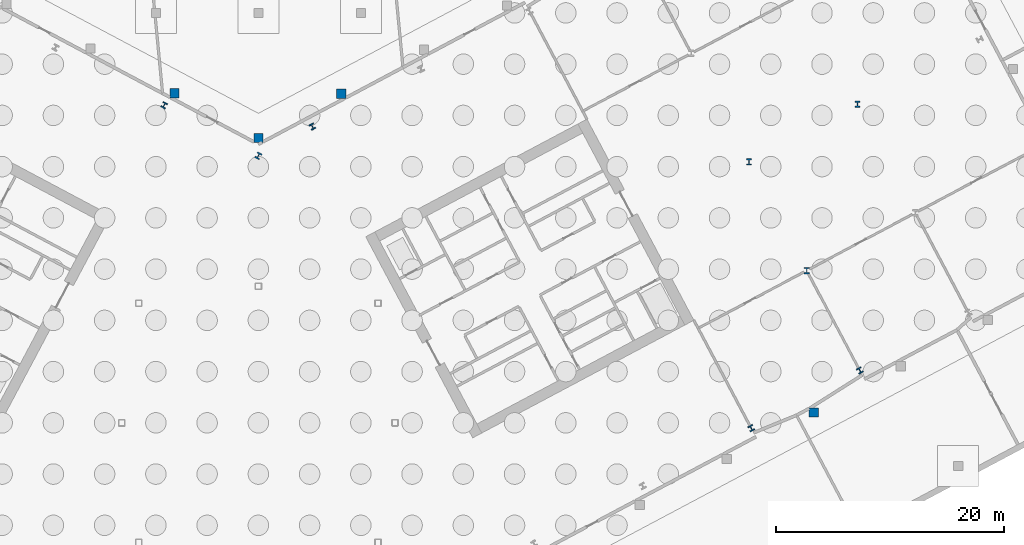
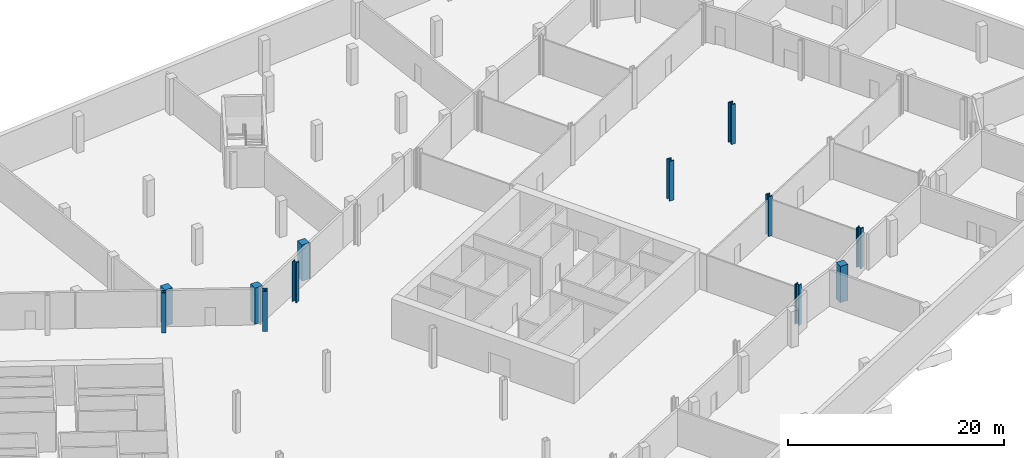
# One storey, part 5 of 29: 12 columns.
"""IFC4 building model written with IfcOpenShell, lengths in metres."""

import ifcopenshell
import ifcopenshell.guid

model = None  # the IFC model being written
_history = None  # IfcOwnerHistory: only IFC2X3 demands one
_inside = {}  # id of a spatial element -> (the spatial element, [elements in it])
_under = {}  # id of a project, library or spatial element -> (it, [spatial elements below it])
_declared = {}  # id of a project -> (the project, [libraries it declares])
_typed = {}  # id of a type object -> (the type object, [elements of that type])
_made_of = {}  # id of a material, layer set ... -> (it, [elements and type objects made of it])


def new_model(schema):
    """Start an empty IFC model of exactly this schema.

    Asked for "IFC4X3", IfcOpenShell would pick the latest addendum, in which some entities
    have other attributes; the version numbers below select the first issue.
    IFC2X3 requires an IfcOwnerHistory on every rooted entity: one is made here for all.
    """
    global model, _history
    if schema == "IFC4X3":
        model = ifcopenshell.file(schema_version=(4, 3, 0, 0))
    else:
        model = ifcopenshell.file(schema=schema)
    _inside.clear()
    _under.clear()
    _declared.clear()
    _typed.clear()
    _made_of.clear()
    _history = None
    if model.schema == "IFC2X3":
        org = make("IfcOrganization", Name="unknown")
        user = make(
            "IfcPersonAndOrganization",
            ThePerson=make("IfcPerson", FamilyName="unknown"),
            TheOrganization=org,
        )
        app = make(
            "IfcApplication",
            ApplicationDeveloper=org,
            Version="unknown",
            ApplicationFullName="unknown",
            ApplicationIdentifier="unknown",
        )
        _history = make(
            "IfcOwnerHistory",
            OwningUser=user,
            OwningApplication=app,
            ChangeAction="ADDED",
            CreationDate=0,
        )
    return model


def make(cls, **values):
    """One entity of the class cls with the attributes given. An attribute that is None is left unset."""
    return model.create_entity(
        cls, **{name: value for name, value in values.items() if value is not None}
    )


def rooted(cls, **values):
    """An entity with a GlobalId (a new one), such as an element, a storey or a relation."""
    return make(cls, GlobalId=ifcopenshell.guid.new(), OwnerHistory=_history, **values)


def si_unit(unit_type, name, prefix=None):
    """IfcSIUnit, for example si_unit("LENGTHUNIT", "METRE", prefix="MILLI")."""
    return make("IfcSIUnit", UnitType=unit_type, Prefix=prefix, Name=name)


def assignment(units):
    """IfcUnitAssignment: the units of a project."""
    return None if units is None else make("IfcUnitAssignment", Units=units)


def point(xyz):
    """IfcCartesianPoint."""
    return None if xyz is None else make("IfcCartesianPoint", Coordinates=xyz)


def direction(xyz):
    """IfcDirection."""
    return None if xyz is None else make("IfcDirection", DirectionRatios=xyz)


def frame(location, z_axis=None, x_axis=None):
    """IfcAxis2Placement3D, a coordinate frame: its origin and axes. An axis left out is left unset."""
    return make(
        "IfcAxis2Placement3D",
        Location=point(location),
        Axis=direction(z_axis),
        RefDirection=direction(x_axis),
    )


def frame_2d(location, x_axis=None):
    """IfcAxis2Placement2D, a coordinate frame in the plane: its origin and x axis."""
    return make(
        "IfcAxis2Placement2D", Location=point(location), RefDirection=direction(x_axis)
    )


def origin():
    """The frame at (0, 0, 0) with its axes left unset."""
    return frame((0.0, 0.0, 0.0))


def origin_2d():
    """The frame at (0, 0) in the plane with its x axis left unset."""
    return frame_2d((0.0, 0.0))


def place(relative_to, where):
    """IfcLocalPlacement: puts the frame where relative to a parent placement (None: the world)."""
    return make(
        "IfcLocalPlacement", PlacementRelTo=relative_to, RelativePlacement=where
    )


def context(
    kind, dimensions, precision=None, world=None, true_north=None, identifier=None
):
    """IfcGeometricRepresentationContext, for example the 3D "Model" context."""
    return make(
        "IfcGeometricRepresentationContext",
        ContextIdentifier=identifier,
        ContextType=kind,
        CoordinateSpaceDimension=dimensions,
        Precision=precision,
        WorldCoordinateSystem=world,
        TrueNorth=true_north,
    )


def subcontext(parent, identifier, kind, view, scale=None):
    """IfcGeometricRepresentationSubContext, for example "Body" below "Model"."""
    return make(
        "IfcGeometricRepresentationSubContext",
        ContextIdentifier=identifier,
        ContextType=kind,
        ParentContext=parent,
        TargetScale=scale,
        TargetView=view,
    )


def project(units=None, contexts=None):
    """IfcProject with its units and contexts."""
    return rooted(
        "IfcProject",
        Name="project",
        RepresentationContexts=contexts,
        UnitsInContext=assignment(units),
    )


def spatial(cls, under=None, at=None, **own):
    """A site, building, storey or space (cls), placed at a placement, below another one or the project."""
    s = rooted(cls, ObjectPlacement=at, **own)
    if under is not None:
        _under.setdefault(under.id(), (under, []))[1].append(s)
    return s


def profile(cls, at=None, kind="AREA", **sizes):
    """A parametric profile (cls). Its sizes go by their IFC names, for example OverallWidth=200.0."""
    return make(cls, ProfileType=kind, Position=at, **sizes)


def rectangle(**sizes):
    """IfcRectangleProfileDef."""
    return profile("IfcRectangleProfileDef", **sizes)


def i_section(**sizes):
    """IfcIShapeProfileDef."""
    return profile("IfcIShapeProfileDef", **sizes)


def extrude(swept, where, along, depth):
    """IfcExtrudedAreaSolid: the profile swept, set in the frame where, extruded along a direction by depth."""
    return make(
        "IfcExtrudedAreaSolid",
        SweptArea=swept,
        Position=where,
        ExtrudedDirection=direction(along),
        Depth=depth,
    )


def shape(context_of_items, identifier, shape_type, items):
    """IfcShapeRepresentation: the items that make up one representation, for example the "Body"."""
    return make(
        "IfcShapeRepresentation",
        ContextOfItems=context_of_items,
        RepresentationIdentifier=identifier,
        RepresentationType=shape_type,
        Items=items,
    )


def material(Name=None, Category=None):
    """IfcMaterial."""
    return make("IfcMaterial", Name=Name, Category=Category)


def material_profile(
    of_material, cross_section, Name=None, Category=None, Priority=None
):
    """IfcMaterialProfile: a cross section and its material."""
    return make(
        "IfcMaterialProfile",
        Name=Name,
        Material=of_material,
        Profile=cross_section,
        Priority=Priority,
        Category=Category,
    )


def profile_set(profiles, Name=None, composite=None):
    """IfcMaterialProfileSet."""
    return make(
        "IfcMaterialProfileSet",
        Name=Name,
        MaterialProfiles=profiles,
        CompositeProfile=composite,
    )


def made_of(thing, what):
    """Note that an element or type object is made of a material, layer set ...; save() writes the relation."""
    if what is not None:
        _made_of.setdefault(what.id(), (what, []))[1].append(thing)
    return thing


def type_object(cls, material=None, **own):
    """A type object (cls), such as IfcWallType, which elements share."""
    return made_of(rooted(cls, **own), material)


def element(
    cls,
    number,
    at=None,
    inside=None,
    cuts=None,
    type_object=None,
    material=None,
    context=None,
    identifier="Body",
    shape_type=None,
    held_by="IfcProductDefinitionShape",
    body=None,
    shapes=None,
    **own,
):
    """One element of the class cls, such as IfcWall. Its Tag is "e" and its number.

    at: its placement. inside: the storey or other place that contains it. cuts: it is an
    opening in that element (IfcRelVoidsElement). A single representation is given by context,
    identifier, shape_type and body (its items); several are given by shapes. held_by: the class
    of the entity that holds the representations. save() writes the other relations.
    """
    e = rooted(cls, Tag="e%d" % number, ObjectPlacement=at, **own)
    if body is not None:
        shapes = [shape(context, identifier, shape_type, body)]
    if shapes is not None:
        e.Representation = make(held_by, Representations=shapes)
    if inside is not None:
        _inside.setdefault(inside.id(), (inside, []))[1].append(e)
    if cuts is not None:
        rooted(
            "IfcRelVoidsElement", RelatingBuildingElement=cuts, RelatedOpeningElement=e
        )
    if type_object is not None:
        _typed.setdefault(type_object.id(), (type_object, []))[1].append(e)
    return made_of(e, material)


def aggregate(whole, parts):
    """IfcRelAggregates: a whole, such as a stair, and the parts it consists of."""
    return rooted("IfcRelAggregates", RelatingObject=whole, RelatedObjects=parts)


def save(model, path):
    """Write the relations noted so far, then the file.

    IfcRelAggregates (storeys below a building ...), IfcRelContainedInSpatialStructure (elements
    in a storey), IfcRelDefinesByType, IfcRelAssociatesMaterial and IfcRelDeclares: one each for
    every whole, place, type object, material and project.
    """
    for whole, parts in _under.values():
        aggregate(whole, parts)
    for where, things in _inside.values():
        rooted(
            "IfcRelContainedInSpatialStructure",
            RelatedElements=things,
            RelatingStructure=where,
        )
    for kind, things in _typed.values():
        rooted("IfcRelDefinesByType", RelatedObjects=things, RelatingType=kind)
    for what, things in _made_of.values():
        rooted("IfcRelAssociatesMaterial", RelatedObjects=things, RelatingMaterial=what)
    for by, libraries in _declared.values():
        rooted("IfcRelDeclares", RelatingContext=by, RelatedDefinitions=libraries)
    model.write(path)


model = new_model("IFC4")

# Units and contexts
model_context = context("Model", 3, precision=1e-05, world=origin(), true_north=direction((0.0, 1.0)))
body_context = subcontext(model_context, "Body", "Model", "MODEL_VIEW")
ifc_project = project(units=[si_unit("LENGTHUNIT", "METRE"), si_unit("AREAUNIT", "SQUARE_METRE"), si_unit("VOLUMEUNIT", "CUBIC_METRE"), si_unit("PLANEANGLEUNIT", "RADIAN"), si_unit("MASSUNIT", "GRAM", prefix="KILO")], contexts=[model_context])

# Site, building, storey
site_placement = place(None, origin())
site = spatial("IfcSite", under=ifc_project, at=site_placement, CompositionType="ELEMENT")
building_placement = place(site_placement, origin())
building = spatial("IfcBuilding", under=site, at=building_placement, Name="Cormorant Relay Tower", CompositionType="ELEMENT")
storey_placement = place(building_placement, frame((0.0, 0.0, -9.0)))
storey = spatial("IfcBuildingStorey", under=building, at=storey_placement, Name="B2", CompositionType="ELEMENT", Elevation=-9.0)

# Columns
ifc_material_1 = material(Name="Concrete 50 MPa", Category="concrete")
ifc_material_profile_1 = material_profile(ifc_material_1, rectangle(XDim=0.800048828125, YDim=0.800048828125, at=origin_2d()), Name="RC 800x800")
ifc_profile_set_1 = profile_set([ifc_material_profile_1], Name="Concrete 50 MPa")
column_type_1 = type_object("IfcColumnType", Name="Base column 800 x 800", PredefinedType="COLUMN", material=ifc_profile_set_1)
for number, where, z_axis, x_axis, name in (
    (1, (48.77490234375, 0.904052734375, 0.0), (0.0, 0.0, 1.0), (1.0, 0.0, 0.0), "Base column"),
    (2, (0.0, 25.030029296875, 0.0), (0.0, 0.0, 1.0), (1.0, 0.0, 0.0), "Base column"),
    (3, (7.279052734375, 28.89990234375, 0.0), (0.0, 0.0, 1.0), (1.0, 0.0, 0.0), "Base column"),
    (4, (-7.37109375, 28.948974609375, 0.0), (0.0, 0.0, 1.0), (1.0, 0.0, 0.0), "Base column"),
):
    element("IfcColumn", number, at=place(storey_placement, frame(where, z_axis=z_axis, x_axis=x_axis)), inside=storey, type_object=column_type_1, Name=name, PredefinedType="COLUMN", context=body_context, shape_type="SweptSolid", body=[
        extrude(rectangle(XDim=0.800048828125, YDim=0.800048828125, at=origin_2d()), origin(), (0.0, 0.0, 1.0), 4.10009765625),
    ])
ifc_material_2 = material(Name="Steel ASTM A992 (Fy 345 MPa)", Category="steel")
ifc_material_profile_2 = material_profile(ifc_material_2, i_section(OverallWidth=0.45458984375, OverallDepth=0.569091796875, WebThickness=0.077880859375, FlangeThickness=0.124755859375, FilletRadius=0.015380859375, at=origin_2d()), Name="W360x1086")
ifc_profile_set_2 = profile_set([ifc_material_profile_2], Name="Steel ASTM A992 (Fy 345 MPa)")
column_type_2 = type_object("IfcColumnType", Name="Column W360x1086", PredefinedType="COLUMN", material=ifc_profile_set_2)
for number, where, z_axis, x_axis, name in (
    (5, (48.157958984375, 13.3740234375, 0.0), (0.0, 0.0, 1.0), (1.0, 0.0, 0.0), "Column B2-025"),
    (6, (43.087890625, 22.909912109375, 0.0), (0.0, 0.0, 1.0), (1.0, 0.0, 0.0), "Column B2-031"),
    (7, (0.0, 23.4541015625, 0.0), (0.0, 0.0, 1.0), (-0.882947592859, 0.469471562786, 0.0), "Column B2-032"),
    (8, (52.6240234375, 27.98095703125, 0.0), (0.0, 0.0, 1.0), (1.0, 0.0, 0.0), "Column B2-037"),
):
    element("IfcColumn", number, at=place(storey_placement, frame(where, z_axis=z_axis, x_axis=x_axis)), inside=storey, type_object=column_type_2, Name=name, PredefinedType="COLUMN", context=body_context, shape_type="SweptSolid", body=[
        extrude(i_section(OverallWidth=0.45458984375, OverallDepth=0.569091796875, WebThickness=0.077880859375, FlangeThickness=0.124755859375, FilletRadius=0.015380859375, at=origin_2d()), origin(), (0.0, 0.0, 1.0), 4.5),
    ])
ifc_material_3 = material(Name="Steel ASTM A992 (Fy 345 MPa)", Category="steel")
ifc_material_profile_3 = material_profile(ifc_material_3, i_section(OverallWidth=0.43701171875, OverallDepth=0.51318359375, WebThickness=0.060546875, FlangeThickness=0.096923828125, FilletRadius=0.015380859375, at=origin_2d()), Name="W360x818")
ifc_profile_set_3 = profile_set([ifc_material_profile_3], Name="Steel ASTM A992 (Fy 345 MPa)")
column_type_3 = type_object("IfcColumnType", Name="Column W360x818", PredefinedType="COLUMN", material=ifc_profile_set_3)
for number, where, z_axis, x_axis, name in (
    (9, (43.2890625, -0.471923828125, 0.0), (0.0, 0.0, 1.0), (0.882947592859, 0.469471562786, 0.0), "Column B2-014"),
    (10, (52.824951171875, 4.597900390625, 0.0), (0.0, 0.0, 1.0), (0.882947592859, 0.469471562786, 0.0), "Column B2-019"),
    (11, (4.743896484375, 26.011962890625, 0.0), (0.0, 0.0, 1.0), (-0.882947592859, -0.469471562786, 0.0), "Column B2-035"),
    (12, (-8.27490234375, 27.889892578125, 0.0), (0.0, 0.0, 1.0), (-0.882947592859, 0.469471562786, 0.0), "Column B2-036"),
):
    element("IfcColumn", number, at=place(storey_placement, frame(where, z_axis=z_axis, x_axis=x_axis)), inside=storey, type_object=column_type_3, Name=name, PredefinedType="COLUMN", context=body_context, shape_type="SweptSolid", body=[
        extrude(i_section(OverallWidth=0.43701171875, OverallDepth=0.51318359375, WebThickness=0.060546875, FlangeThickness=0.096923828125, FilletRadius=0.015380859375, at=origin_2d()), origin(), (0.0, 0.0, 1.0), 4.5),
    ])

save(model, "model.ifc")
